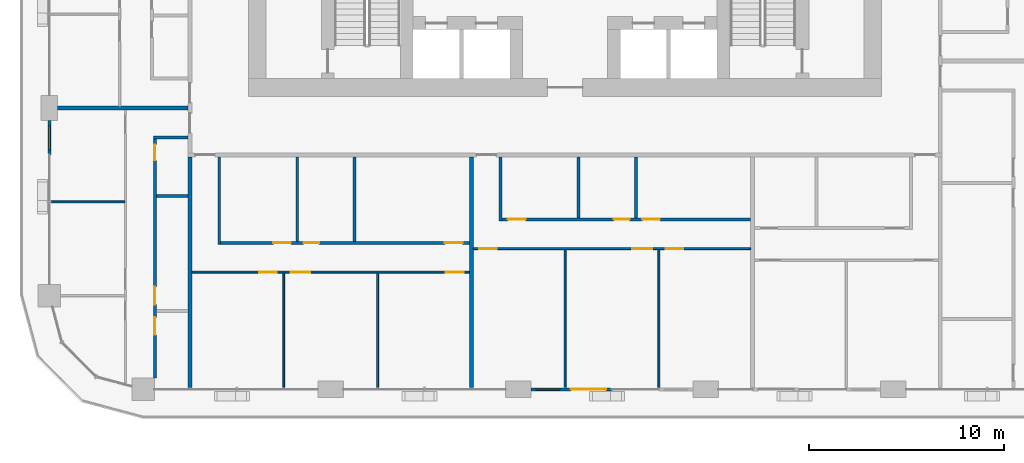
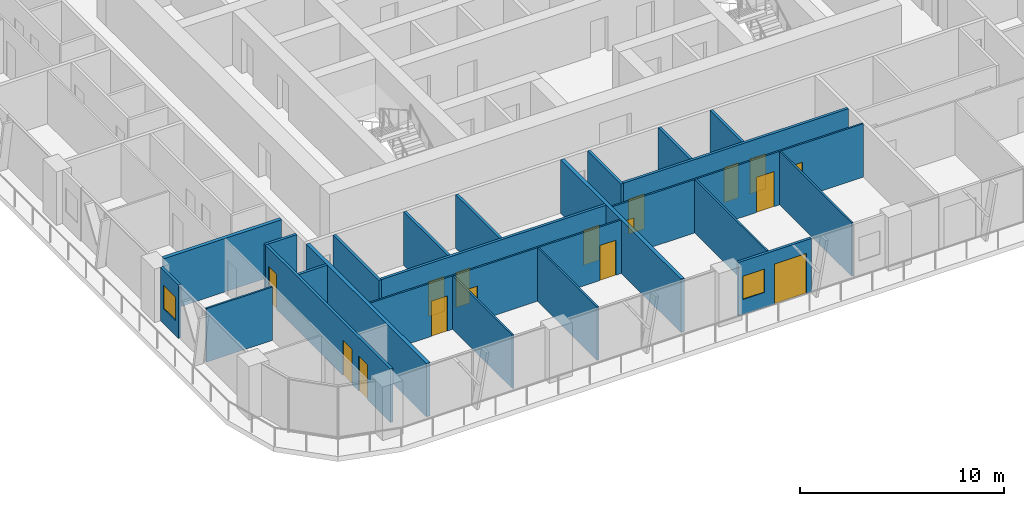
# One storey, part 9 of 22: 23 walls, 16 doors, 2 windows, 18 openings.
"""IFC4 building model written with IfcOpenShell, lengths in metres."""

from ifc_helpers import new_model, si_unit, direction, frame, frame_2d, origin, place, context, subcontext, project, spatial, rectangle, extrude, material, layer, layer_set, type_object, element, fill, save


model = new_model("IFC4")

# Units and contexts
model_context = context("Model", 3, precision=1e-05, world=origin(), true_north=direction((0.0, 1.0)))
body_context = subcontext(model_context, "Body", "Model", "MODEL_VIEW")
ifc_project = project(units=[si_unit("LENGTHUNIT", "METRE"), si_unit("AREAUNIT", "SQUARE_METRE"), si_unit("VOLUMEUNIT", "CUBIC_METRE"), si_unit("PLANEANGLEUNIT", "RADIAN"), si_unit("MASSUNIT", "GRAM", prefix="KILO")], contexts=[model_context])

# Site, building, storey
site_placement = place(None, origin())
site = spatial("IfcSite", under=ifc_project, at=site_placement, CompositionType="ELEMENT")
building_placement = place(site_placement, origin())
building = spatial("IfcBuilding", under=site, at=building_placement, Name="Madar Terraces", CompositionType="ELEMENT")
storey_placement = place(building_placement, frame((0.0, 0.0, 66.300048828125)))
storey = spatial("IfcBuildingStorey", under=building, at=storey_placement, Name="L16", CompositionType="ELEMENT", Elevation=66.300048828125)

# Wall, openings, door, window
ifc_material_1 = material(Name="Aluminium composite panel, black, over insulated backing", Category="aluminium")
ifc_layer_1 = layer(ifc_material_1, 0.14990234375)
ifc_layer_set_1 = layer_set([ifc_layer_1], Name="Facade bay panel 150")
wall_type_1 = type_object("IfcWallType", Name="Facade bay panel 150", PredefinedType="SOLIDWALL", material=ifc_layer_set_1)
wall_1_placement = place(storey_placement, frame((29.449951171875, 0.0, 0.0), z_axis=(0.0, 0.0, 1.0), x_axis=(1.0, 0.0, 0.0)))
wall_1 = element("IfcWall", 1, at=wall_1_placement, inside=storey, type_object=wall_type_1, Name="Facade bay panel", PredefinedType="SOLIDWALL", context=body_context, shape_type="SweptSolid", body=[
    extrude(rectangle(XDim=4.150146484375, YDim=0.14990234375, at=frame_2d((2.0751953125, 0.0))), origin(), (0.0, 0.0, 1.0), 3.199951171875),
])
opening_1_placement = place(wall_1_placement, frame((0.27490234375, 0.0, 0.89990234375)))
opening_1 = element("IfcOpeningElement", 2, at=opening_1_placement, cuts=wall_1, Name="Opening W1", PredefinedType="OPENING", context=body_context, shape_type="SweptSolid", body=[
    extrude(rectangle(XDim=1.199951171875, YDim=1.39990234375, at=frame_2d((0.60009765625, 0.699951171875))), frame((0.0, 0.0849609375, 0.0), z_axis=(0.0, -1.0, 0.0), x_axis=(1.0, 0.0, 0.0)), (0.0, 0.0, 1.0), 0.169921875),
])
opening_2_placement = place(wall_1_placement, frame((2.050048828125, 0.0, 0.0)))
opening_2 = element("IfcOpeningElement", 3, at=opening_2_placement, cuts=wall_1, Name="Opening ED1", PredefinedType="OPENING", context=body_context, shape_type="SweptSolid", body=[
    extrude(rectangle(XDim=1.800048828125, YDim=2.39990234375, at=frame_2d((0.89990234375, 1.199951171875))), frame((0.0, 0.0849609375, 0.0), z_axis=(0.0, -1.0, 0.0), x_axis=(1.0, 0.0, 0.0)), (0.0, 0.0, 1.0), 0.169921875),
])
ifc_material_2 = material(Name="Glass, clear, with black aluminium frame", Category="aluminium")
door_type_1 = type_object("IfcDoorType", Name="Balcony and terrace sliding door 1800 x 2400", OperationType="SLIDING_TO_LEFT", PredefinedType="DOOR", material=ifc_material_2)
door_1_placement = place(opening_2_placement, origin())
door_1 = element("IfcDoor", 4, at=door_1_placement, inside=storey, type_object=door_type_1, Name="Balcony door", OperationType="SLIDING_TO_LEFT", OverallHeight=2.39990234375, OverallWidth=1.800048828125, PredefinedType="DOOR", context=body_context, shape_type="SweptSolid", body=[
    extrude(rectangle(XDim=1.800048828125, YDim=2.39990234375, at=frame_2d((0.89990234375, 1.199951171875))), frame((0.0, 0.02490234375, 0.0), z_axis=(0.0, -1.0, 0.0), x_axis=(1.0, 0.0, 0.0)), (0.0, 0.0, 1.0), 0.050048828125),
])
fill(opening_2, door_1)
ifc_material_3 = material(Name="Glass, clear, with black aluminium frame", Category="aluminium")
window_type = type_object("IfcWindowType", Name="Vent window 1200 x 1400", PartitioningType="SINGLE_PANEL", PredefinedType="WINDOW", material=ifc_material_3)
window_1_placement = place(opening_1_placement, origin())
window_1 = element("IfcWindow", 5, at=window_1_placement, inside=storey, type_object=window_type, Name="Operable vent window", OverallHeight=1.39990234375, OverallWidth=1.199951171875, PartitioningType="SINGLE_PANEL", PredefinedType="WINDOW", context=body_context, shape_type="SweptSolid", body=[
    extrude(rectangle(XDim=1.199951171875, YDim=1.39990234375, at=frame_2d((0.60009765625, 0.699951171875))), frame((0.0, 0.030029296875, 0.0), z_axis=(0.0, -1.0, 0.0), x_axis=(1.0, 0.0, 0.0)), (0.0, 0.0, 1.0), 0.06005859375),
])
fill(opening_1, window_1)

# Wall, opening, window
wall_2_placement = place(storey_placement, frame((4.800048828125, 13.75, 0.0), z_axis=(0.0, 0.0, 1.0), x_axis=(0.0, -1.0, 0.0)))
wall_2 = element("IfcWall", 6, at=wall_2_placement, inside=storey, type_object=wall_type_1, Name="Facade bay panel", PredefinedType="SOLIDWALL", context=body_context, shape_type="SweptSolid", body=[
    extrude(rectangle(XDim=1.75, YDim=0.14990234375, at=frame_2d((0.875, 0.0))), origin(), (0.0, 0.0, 1.0), 3.199951171875),
])
opening_3_placement = place(wall_2_placement, frame((0.27490234375, 0.0, 0.89990234375)))
opening_3 = element("IfcOpeningElement", 7, at=opening_3_placement, cuts=wall_2, Name="Opening W1", PredefinedType="OPENING", context=body_context, shape_type="SweptSolid", body=[
    extrude(rectangle(XDim=1.199951171875, YDim=1.39990234375, at=frame_2d((0.60009765625, 0.699951171875))), frame((0.0, 0.0849609375, 0.0), z_axis=(0.0, -1.0, 0.0), x_axis=(1.0, 0.0, 0.0)), (0.0, 0.0, 1.0), 0.169921875),
])
window_2_placement = place(opening_3_placement, origin())
window_2 = element("IfcWindow", 8, at=window_2_placement, inside=storey, type_object=window_type, Name="Operable vent window", OverallHeight=1.39990234375, OverallWidth=1.199951171875, PartitioningType="SINGLE_PANEL", PredefinedType="WINDOW", context=body_context, shape_type="SweptSolid", body=[
    extrude(rectangle(XDim=1.199951171875, YDim=1.39990234375, at=frame_2d((0.60009765625, 0.699951171875))), frame((0.0, 0.030029296875, 0.0), z_axis=(0.0, -1.0, 0.0), x_axis=(1.0, 0.0, 0.0)), (0.0, 0.0, 1.0), 0.06005859375),
])
fill(opening_3, window_2)

# Walls
ifc_material_4 = material(Name="Gypsum board on steel studs", Category="steel")
ifc_layer_2 = layer(ifc_material_4, 0.10009765625)
ifc_layer_set_2 = layer_set([ifc_layer_2], Name="Flat partition 100")
wall_type_2 = type_object("IfcWallType", Name="Flat partition 100", PredefinedType="PARTITIONING", material=ifc_layer_set_2)
for number, where, z_axis, x_axis, name in (
    (9, (16.800048828125, 5.949951171875, 0.0), (0.0, 0.0, 1.0), (0.0, -1.0, 0.0), "Flat partition 100"),
    (10, (21.60009765625, 5.949951171875, 0.0), (0.0, 0.0, 1.0), (0.0, -1.0, 0.0), "Flat partition 100"),
):
    element("IfcWall", number, at=place(storey_placement, frame(where, z_axis=z_axis, x_axis=x_axis)), inside=storey, type_object=wall_type_2, Name=name, PredefinedType="PARTITIONING", context=body_context, shape_type="SweptSolid", body=[
        extrude(rectangle(XDim=5.849853515625, YDim=0.10009765625, at=frame_2d((2.9248046875, 0.0))), origin(), (0.0, 0.0, 1.0), 3.199951171875),
    ])

# Wall, openings, doors
wall_3_placement = place(storey_placement, frame((26.300048828125, 6.0, 0.0), z_axis=(0.0, 0.0, 1.0), x_axis=(-1.0, 0.0, 0.0)))
wall_3 = element("IfcWall", 11, at=wall_3_placement, inside=storey, type_object=wall_type_2, Name="Flat partition 100", PredefinedType="PARTITIONING", context=body_context, shape_type="SweptSolid", body=[
    extrude(rectangle(XDim=14.199951171875, YDim=0.10009765625, at=frame_2d((7.10009765625, 0.0))), origin(), (0.0, 0.0, 1.0), 3.199951171875),
])
opening_4_placement = place(wall_3_placement, frame((9.85009765625, 0.0, 0.0)))
opening_4 = element("IfcOpeningElement", 12, at=opening_4_placement, cuts=wall_3, Name="Opening D2", PredefinedType="OPENING", context=body_context, shape_type="SweptSolid", body=[
    extrude(rectangle(XDim=0.89990234375, YDim=2.10009765625, at=frame_2d((0.449951171875, 1.050048828125))), frame((0.0, 0.06005859375, 0.0), z_axis=(0.0, -1.0, 0.0), x_axis=(1.0, 0.0, 0.0)), (0.0, 0.0, 1.0), 0.1201171875),
])
opening_5_placement = place(wall_3_placement, frame((8.14990234375, 0.0, 0.0)))
opening_5 = element("IfcOpeningElement", 13, at=opening_5_placement, cuts=wall_3, Name="Opening D3", PredefinedType="OPENING", context=body_context, shape_type="SweptSolid", body=[
    extrude(rectangle(XDim=1.0, YDim=2.10009765625, at=frame_2d((0.5, 1.050048828125))), frame((0.0, 0.06005859375, 0.0), z_axis=(0.0, -1.0, 0.0), x_axis=(1.0, 0.0, 0.0)), (0.0, 0.0, 1.0), 0.1201171875),
])
opening_6_placement = place(wall_3_placement, frame((0.300048828125, 0.0, 0.0)))
opening_6 = element("IfcOpeningElement", 14, at=opening_6_placement, cuts=wall_3, Name="Opening D2", PredefinedType="OPENING", context=body_context, shape_type="SweptSolid", body=[
    extrude(rectangle(XDim=0.89990234375, YDim=2.10009765625, at=frame_2d((0.449951171875, 1.050048828125))), frame((0.0, 0.06005859375, 0.0), z_axis=(0.0, -1.0, 0.0), x_axis=(1.0, 0.0, 0.0)), (0.0, 0.0, 1.0), 0.1201171875),
])
ifc_material_5 = material(Name="Timber door leaf", Category="wood")
door_type_2 = type_object("IfcDoorType", Name="Flat living room door 1000", OperationType="NOTDEFINED", PredefinedType="DOOR", material=ifc_material_5)
door_2_placement = place(opening_5_placement, origin())
door_2 = element("IfcDoor", 15, at=door_2_placement, inside=storey, type_object=door_type_2, Name="Flat living room door 1000", OperationType="SINGLE_SWING_RIGHT", OverallHeight=2.10009765625, OverallWidth=1.0, PredefinedType="DOOR", context=body_context, shape_type="SweptSolid", body=[
    extrude(rectangle(XDim=1.0, YDim=2.10009765625, at=frame_2d((0.5, 1.050048828125))), frame((0.0, 0.02490234375, 0.0), z_axis=(0.0, -1.0, 0.0), x_axis=(1.0, 0.0, 0.0)), (0.0, 0.0, 1.0), 0.050048828125),
])
fill(opening_5, door_2)
ifc_material_6 = material(Name="Timber door leaf", Category="wood")
door_type_3 = type_object("IfcDoorType", Name="Flat room door 900", OperationType="NOTDEFINED", PredefinedType="DOOR", material=ifc_material_6)
door_3_placement = place(opening_4_placement, origin())
door_3 = element("IfcDoor", 16, at=door_3_placement, inside=storey, type_object=door_type_3, Name="Flat room door 900", OperationType="SINGLE_SWING_LEFT", OverallHeight=2.10009765625, OverallWidth=0.89990234375, PredefinedType="DOOR", context=body_context, shape_type="SweptSolid", body=[
    extrude(rectangle(XDim=0.89990234375, YDim=2.10009765625, at=frame_2d((0.449951171875, 1.050048828125))), frame((0.0, 0.02490234375, 0.0), z_axis=(0.0, -1.0, 0.0), x_axis=(1.0, 0.0, 0.0)), (0.0, 0.0, 1.0), 0.050048828125),
])
fill(opening_4, door_3)
door_4_placement = place(opening_6_placement, origin())
door_4 = element("IfcDoor", 17, at=door_4_placement, inside=storey, type_object=door_type_3, Name="Flat room door 900", OperationType="SINGLE_SWING_LEFT", OverallHeight=2.10009765625, OverallWidth=0.89990234375, PredefinedType="DOOR", context=body_context, shape_type="SweptSolid", body=[
    extrude(rectangle(XDim=0.89990234375, YDim=2.10009765625, at=frame_2d((0.449951171875, 1.050048828125))), frame((0.0, 0.02490234375, 0.0), z_axis=(0.0, -1.0, 0.0), x_axis=(1.0, 0.0, 0.0)), (0.0, 0.0, 1.0), 0.050048828125),
])
fill(opening_6, door_4)

# Walls
for number, where, z_axis, x_axis, name in (
    (18, (31.199951171875, 7.14990234375, 0.0), (0.0, 0.0, 1.0), (0.0, -1.0, 0.0), "Flat partition 100"),
    (19, (36.0, 7.14990234375, 0.0), (0.0, 0.0, 1.0), (0.0, -1.0, 0.0), "Flat partition 100"),
):
    element("IfcWall", number, at=place(storey_placement, frame(where, z_axis=z_axis, x_axis=x_axis)), inside=storey, type_object=wall_type_2, Name=name, PredefinedType="PARTITIONING", context=body_context, shape_type="SweptSolid", body=[
        extrude(rectangle(XDim=7.0498046875, YDim=0.10009765625, at=frame_2d((3.52490234375, 0.0))), origin(), (0.0, 0.0, 1.0), 3.199951171875),
    ])

# Wall, openings, doors
wall_4_placement = place(storey_placement, frame((40.699951171875, 7.199951171875, 0.0), z_axis=(0.0, 0.0, 1.0), x_axis=(-1.0, 0.0, 0.0)))
wall_4 = element("IfcWall", 20, at=wall_4_placement, inside=storey, type_object=wall_type_2, Name="Flat partition 100", PredefinedType="PARTITIONING", context=body_context, shape_type="SweptSolid", body=[
    extrude(rectangle(XDim=14.199951171875, YDim=0.10009765625, at=frame_2d((7.10009765625, 0.0))), origin(), (0.0, 0.0, 1.0), 3.199951171875),
])
opening_7_placement = place(wall_4_placement, frame((13.0, 0.0, 0.0)))
opening_7 = element("IfcOpeningElement", 21, at=opening_7_placement, cuts=wall_4, Name="Opening D2", PredefinedType="OPENING", context=body_context, shape_type="SweptSolid", body=[
    extrude(rectangle(XDim=0.89990234375, YDim=2.10009765625, at=frame_2d((0.449951171875, 1.050048828125))), frame((0.0, 0.06005859375, 0.0), z_axis=(0.0, -1.0, 0.0), x_axis=(1.0, 0.0, 0.0)), (0.0, 0.0, 1.0), 0.1201171875),
])
opening_8_placement = place(wall_4_placement, frame((5.050048828125, 0.0, 0.0)))
opening_8 = element("IfcOpeningElement", 22, at=opening_8_placement, cuts=wall_4, Name="Opening D3", PredefinedType="OPENING", context=body_context, shape_type="SweptSolid", body=[
    extrude(rectangle(XDim=1.0, YDim=2.10009765625, at=frame_2d((0.5, 1.050048828125))), frame((0.0, 0.06005859375, 0.0), z_axis=(0.0, -1.0, 0.0), x_axis=(1.0, 0.0, 0.0)), (0.0, 0.0, 1.0), 0.1201171875),
])
opening_9_placement = place(wall_4_placement, frame((3.449951171875, 0.0, 0.0)))
opening_9 = element("IfcOpeningElement", 23, at=opening_9_placement, cuts=wall_4, Name="Opening D2", PredefinedType="OPENING", context=body_context, shape_type="SweptSolid", body=[
    extrude(rectangle(XDim=0.89990234375, YDim=2.10009765625, at=frame_2d((0.449951171875, 1.050048828125))), frame((0.0, 0.06005859375, 0.0), z_axis=(0.0, -1.0, 0.0), x_axis=(1.0, 0.0, 0.0)), (0.0, 0.0, 1.0), 0.1201171875),
])
door_5_placement = place(opening_8_placement, origin())
door_5 = element("IfcDoor", 24, at=door_5_placement, inside=storey, type_object=door_type_2, Name="Flat living room door 1000", OperationType="SINGLE_SWING_LEFT", OverallHeight=2.10009765625, OverallWidth=1.0, PredefinedType="DOOR", context=body_context, shape_type="SweptSolid", body=[
    extrude(rectangle(XDim=1.0, YDim=2.10009765625, at=frame_2d((0.5, 1.050048828125))), frame((0.0, 0.02490234375, 0.0), z_axis=(0.0, -1.0, 0.0), x_axis=(1.0, 0.0, 0.0)), (0.0, 0.0, 1.0), 0.050048828125),
])
fill(opening_8, door_5)
door_6_placement = place(opening_7_placement, origin())
door_6 = element("IfcDoor", 25, at=door_6_placement, inside=storey, type_object=door_type_3, Name="Flat room door 900", OperationType="SINGLE_SWING_RIGHT", OverallHeight=2.10009765625, OverallWidth=0.89990234375, PredefinedType="DOOR", context=body_context, shape_type="SweptSolid", body=[
    extrude(rectangle(XDim=0.89990234375, YDim=2.10009765625, at=frame_2d((0.449951171875, 1.050048828125))), frame((0.0, 0.02490234375, 0.0), z_axis=(0.0, -1.0, 0.0), x_axis=(1.0, 0.0, 0.0)), (0.0, 0.0, 1.0), 0.050048828125),
])
fill(opening_7, door_6)
door_7_placement = place(opening_9_placement, origin())
door_7 = element("IfcDoor", 26, at=door_7_placement, inside=storey, type_object=door_type_3, Name="Flat room door 900", OperationType="SINGLE_SWING_RIGHT", OverallHeight=2.10009765625, OverallWidth=0.89990234375, PredefinedType="DOOR", context=body_context, shape_type="SweptSolid", body=[
    extrude(rectangle(XDim=0.89990234375, YDim=2.10009765625, at=frame_2d((0.449951171875, 1.050048828125))), frame((0.0, 0.02490234375, 0.0), z_axis=(0.0, -1.0, 0.0), x_axis=(1.0, 0.0, 0.0)), (0.0, 0.0, 1.0), 0.050048828125),
])
fill(opening_9, door_7)

# Walls
wall_5_placement = place(storey_placement, frame((8.64990234375, 9.60009765625, 0.0), z_axis=(0.0, 0.0, 1.0), x_axis=(-1.0, 0.0, 0.0)))
element("IfcWall", 27, at=wall_5_placement, inside=storey, type_object=wall_type_2, Name="Flat partition 100", PredefinedType="PARTITIONING", context=body_context, shape_type="SweptSolid", body=[
    extrude(rectangle(XDim=3.75, YDim=0.10009765625, at=frame_2d((1.875, 0.0))), origin(), (0.0, 0.0, 1.0), 3.199951171875),
])
ifc_material_7 = material(Name="Lightweight blockwork", Category="masonry")
ifc_layer_3 = layer(ifc_material_7, 0.199951171875)
ifc_layer_set_3 = layer_set([ifc_layer_3], Name="Flat party and entrance wall 200")
wall_type_3 = type_object("IfcWallType", Name="Flat party and entrance wall 200", PredefinedType="PARTITIONING", material=ifc_layer_set_3)
for number, where, z_axis, x_axis, name in (
    (28, (26.39990234375, 11.89990234375, 0.0), (0.0, 0.0, 1.0), (0.0, -1.0, 0.0), "Flat party and entrance wall 200"),
    (29, (12.0, 0.10009765625, 0.0), (0.0, 0.0, 1.0), (0.0, 1.0, 0.0), "Flat party and entrance wall 200"),
):
    element("IfcWall", number, at=place(storey_placement, frame(where, z_axis=z_axis, x_axis=x_axis)), inside=storey, type_object=wall_type_3, Name=name, PredefinedType="PARTITIONING", context=body_context, shape_type="SweptSolid", body=[
        extrude(rectangle(XDim=11.7998046875, YDim=0.199951171875, at=frame_2d((5.89990234375, 0.0))), origin(), (0.0, 0.0, 1.0), 3.199951171875),
    ])
wall_6_placement = place(storey_placement, frame((5.22509765625, 14.39990234375, 0.0), z_axis=(0.0, 0.0, 1.0), x_axis=(1.0, 0.0, 0.0)))
element("IfcWall", 30, at=wall_6_placement, inside=storey, type_object=wall_type_3, Name="Flat party and entrance wall 200", PredefinedType="PARTITIONING", context=body_context, shape_type="SweptSolid", body=[
    extrude(rectangle(XDim=6.6748046875, YDim=0.199951171875, at=frame_2d((3.33740234375, 0.0))), origin(), (0.0, 0.0, 1.0), 3.199951171875),
])
ifc_material_8 = material(Name="Lightweight blockwork", Category="masonry")
ifc_layer_4 = layer(ifc_material_8, 0.14990234375)
ifc_layer_set_4 = layer_set([ifc_layer_4], Name="Flat wet-room partition 150")
wall_type_4 = type_object("IfcWallType", Name="Flat wet-room partition 150", PredefinedType="PARTITIONING", material=ifc_layer_set_4)
for number, where, z_axis, x_axis, name in (
    (31, (17.490478515625, 11.89990234375, 0.0), (0.0, 0.0, 1.0), (0.0, -1.0, 0.0), "Flat wet-room partition 150"),
    (32, (20.427001953125, 11.89990234375, 0.0), (0.0, 0.0, 1.0), (0.0, -1.0, 0.0), "Flat wet-room partition 150"),
):
    element("IfcWall", number, at=place(storey_placement, frame(where, z_axis=z_axis, x_axis=x_axis)), inside=storey, type_object=wall_type_4, Name=name, PredefinedType="PARTITIONING", context=body_context, shape_type="SweptSolid", body=[
        extrude(rectangle(XDim=4.324951171875, YDim=0.14990234375, at=frame_2d((2.16259765625, 0.0))), origin(), (0.0, 0.0, 1.0), 3.199951171875),
    ])
wall_7_placement = place(storey_placement, frame((13.5, 11.89990234375, 0.0), z_axis=(0.0, 0.0, 1.0), x_axis=(0.0, -1.0, 0.0)))
element("IfcWall", 33, at=wall_7_placement, inside=storey, type_object=wall_type_4, Name="Flat wet-room partition 150", PredefinedType="PARTITIONING", context=body_context, shape_type="SweptSolid", body=[
    extrude(rectangle(XDim=4.474853515625, YDim=0.14990234375, at=frame_2d((2.2373046875, 0.0))), origin(), (0.0, 0.0, 1.0), 3.199951171875),
])

# Wall, openings, doors
wall_8_placement = place(storey_placement, frame((13.574951171875, 7.5, 0.0), z_axis=(0.0, 0.0, 1.0), x_axis=(1.0, 0.0, 0.0)))
wall_8 = element("IfcWall", 34, at=wall_8_placement, inside=storey, type_object=wall_type_4, Name="Flat wet-room partition 150", PredefinedType="PARTITIONING", context=body_context, shape_type="SweptSolid", body=[
    extrude(rectangle(XDim=12.72509765625, YDim=0.14990234375, at=frame_2d((6.362548828125, 0.0))), origin(), (0.0, 0.0, 1.0), 3.199951171875),
])
opening_10_placement = place(wall_8_placement, frame((2.6904296875, 0.0, 0.0)))
opening_10 = element("IfcOpeningElement", 35, at=opening_10_placement, cuts=wall_8, Name="Opening D5", PredefinedType="OPENING", context=body_context, shape_type="SweptSolid", body=[
    extrude(rectangle(XDim=0.89990234375, YDim=2.10009765625, at=frame_2d((0.449951171875, 1.050048828125))), frame((0.0, 0.0849609375, 0.0), z_axis=(0.0, -1.0, 0.0), x_axis=(1.0, 0.0, 0.0)), (0.0, 0.0, 1.0), 0.169921875),
])
opening_11_placement = place(wall_8_placement, frame((4.240478515625, 0.0, 0.0)))
opening_11 = element("IfcOpeningElement", 36, at=opening_11_placement, cuts=wall_8, Name="Opening D4", PredefinedType="OPENING", context=body_context, shape_type="SweptSolid", body=[
    extrude(rectangle(XDim=0.800048828125, YDim=2.10009765625, at=frame_2d((0.39990234375, 1.050048828125))), frame((0.0, 0.0849609375, 0.0), z_axis=(0.0, -1.0, 0.0), x_axis=(1.0, 0.0, 0.0)), (0.0, 0.0, 1.0), 0.169921875),
])
opening_12_placement = place(wall_8_placement, frame((11.47509765625, 0.0, 0.0)))
opening_12 = element("IfcOpeningElement", 37, at=opening_12_placement, cuts=wall_8, Name="Opening D2", PredefinedType="OPENING", context=body_context, shape_type="SweptSolid", body=[
    extrude(rectangle(XDim=0.89990234375, YDim=2.10009765625, at=frame_2d((0.449951171875, 1.050048828125))), frame((0.0, 0.0849609375, 0.0), z_axis=(0.0, -1.0, 0.0), x_axis=(1.0, 0.0, 0.0)), (0.0, 0.0, 1.0), 0.169921875),
])
ifc_material_9 = material(Name="Timber door leaf", Category="wood")
door_type_4 = type_object("IfcDoorType", Name="Flat accessible bathroom door 900", OperationType="NOTDEFINED", PredefinedType="DOOR", material=ifc_material_9)
door_8_placement = place(opening_10_placement, origin())
door_8 = element("IfcDoor", 38, at=door_8_placement, inside=storey, type_object=door_type_4, Name="Flat accessible bathroom door 900", OperationType="SINGLE_SWING_RIGHT", OverallHeight=2.10009765625, OverallWidth=0.89990234375, PredefinedType="DOOR", context=body_context, shape_type="SweptSolid", body=[
    extrude(rectangle(XDim=0.89990234375, YDim=2.10009765625, at=frame_2d((0.449951171875, 1.050048828125))), frame((0.0, 0.02490234375, 0.0), z_axis=(0.0, -1.0, 0.0), x_axis=(1.0, 0.0, 0.0)), (0.0, 0.0, 1.0), 0.050048828125),
])
fill(opening_10, door_8)
ifc_material_10 = material(Name="Timber door leaf", Category="wood")
door_type_5 = type_object("IfcDoorType", Name="Flat bathroom door 800", OperationType="NOTDEFINED", PredefinedType="DOOR", material=ifc_material_10)
door_9_placement = place(opening_11_placement, origin())
door_9 = element("IfcDoor", 39, at=door_9_placement, inside=storey, type_object=door_type_5, Name="Flat bathroom door 800", OperationType="SINGLE_SWING_LEFT", OverallHeight=2.10009765625, OverallWidth=0.800048828125, PredefinedType="DOOR", context=body_context, shape_type="SweptSolid", body=[
    extrude(rectangle(XDim=0.800048828125, YDim=2.10009765625, at=frame_2d((0.39990234375, 1.050048828125))), frame((0.0, 0.02490234375, 0.0), z_axis=(0.0, -1.0, 0.0), x_axis=(1.0, 0.0, 0.0)), (0.0, 0.0, 1.0), 0.050048828125),
])
fill(opening_11, door_9)
door_10_placement = place(opening_12_placement, origin())
door_10 = element("IfcDoor", 40, at=door_10_placement, inside=storey, type_object=door_type_3, Name="Flat room door 900", OperationType="SINGLE_SWING_RIGHT", OverallHeight=2.10009765625, OverallWidth=0.89990234375, PredefinedType="DOOR", context=body_context, shape_type="SweptSolid", body=[
    extrude(rectangle(XDim=0.89990234375, YDim=2.10009765625, at=frame_2d((0.449951171875, 1.050048828125))), frame((0.0, 0.02490234375, 0.0), z_axis=(0.0, -1.0, 0.0), x_axis=(1.0, 0.0, 0.0)), (0.0, 0.0, 1.0), 0.050048828125),
])
fill(opening_12, door_10)

# Walls
for number, where, z_axis, x_axis, name in (
    (41, (31.890380859375, 11.89990234375, 0.0), (0.0, 0.0, 1.0), (0.0, -1.0, 0.0), "Flat wet-room partition 150"),
    (42, (34.826904296875, 11.89990234375, 0.0), (0.0, 0.0, 1.0), (0.0, -1.0, 0.0), "Flat wet-room partition 150"),
):
    element("IfcWall", number, at=place(storey_placement, frame(where, z_axis=z_axis, x_axis=x_axis)), inside=storey, type_object=wall_type_4, Name=name, PredefinedType="PARTITIONING", context=body_context, shape_type="SweptSolid", body=[
        extrude(rectangle(XDim=3.125, YDim=0.14990234375, at=frame_2d((1.5625, 0.0))), origin(), (0.0, 0.0, 1.0), 3.199951171875),
    ])
wall_9_placement = place(storey_placement, frame((27.89990234375, 11.89990234375, 0.0), z_axis=(0.0, 0.0, 1.0), x_axis=(0.0, -1.0, 0.0)))
element("IfcWall", 43, at=wall_9_placement, inside=storey, type_object=wall_type_4, Name="Flat wet-room partition 150", PredefinedType="PARTITIONING", context=body_context, shape_type="SweptSolid", body=[
    extrude(rectangle(XDim=3.27490234375, YDim=0.14990234375, at=frame_2d((1.637451171875, 0.0))), origin(), (0.0, 0.0, 1.0), 3.199951171875),
])

# Wall, openings, doors
wall_10_placement = place(storey_placement, frame((27.97509765625, 8.699951171875, 0.0), z_axis=(0.0, 0.0, 1.0), x_axis=(1.0, 0.0, 0.0)))
wall_10 = element("IfcWall", 44, at=wall_10_placement, inside=storey, type_object=wall_type_4, Name="Flat wet-room partition 150", PredefinedType="PARTITIONING", context=body_context, shape_type="SweptSolid", body=[
    extrude(rectangle(XDim=12.724853515625, YDim=0.14990234375, at=frame_2d((6.3623046875, 0.0))), origin(), (0.0, 0.0, 1.0), 3.199951171875),
])
opening_13_placement = place(wall_10_placement, frame((0.300048828125, 0.0, 0.0)))
opening_13 = element("IfcOpeningElement", 45, at=opening_13_placement, cuts=wall_10, Name="Opening D5", PredefinedType="OPENING", context=body_context, shape_type="SweptSolid", body=[
    extrude(rectangle(XDim=0.89990234375, YDim=2.10009765625, at=frame_2d((0.449951171875, 1.050048828125))), frame((0.0, 0.0849609375, 0.0), z_axis=(0.0, -1.0, 0.0), x_axis=(1.0, 0.0, 0.0)), (0.0, 0.0, 1.0), 0.169921875),
])
opening_14_placement = place(wall_10_placement, frame((5.726806640625, 0.0, 0.0)))
opening_14 = element("IfcOpeningElement", 46, at=opening_14_placement, cuts=wall_10, Name="Opening D4", PredefinedType="OPENING", context=body_context, shape_type="SweptSolid", body=[
    extrude(rectangle(XDim=0.800048828125, YDim=2.10009765625, at=frame_2d((0.39990234375, 1.050048828125))), frame((0.0, 0.0849609375, 0.0), z_axis=(0.0, -1.0, 0.0), x_axis=(1.0, 0.0, 0.0)), (0.0, 0.0, 1.0), 0.169921875),
])
opening_15_placement = place(wall_10_placement, frame((7.177001953125, 0.0, 0.0)))
opening_15 = element("IfcOpeningElement", 47, at=opening_15_placement, cuts=wall_10, Name="Opening D2", PredefinedType="OPENING", context=body_context, shape_type="SweptSolid", body=[
    extrude(rectangle(XDim=0.89990234375, YDim=2.10009765625, at=frame_2d((0.449951171875, 1.050048828125))), frame((0.0, 0.0849609375, 0.0), z_axis=(0.0, -1.0, 0.0), x_axis=(1.0, 0.0, 0.0)), (0.0, 0.0, 1.0), 0.169921875),
])
door_11_placement = place(opening_13_placement, origin())
door_11 = element("IfcDoor", 48, at=door_11_placement, inside=storey, type_object=door_type_4, Name="Flat accessible bathroom door 900", OperationType="SINGLE_SWING_LEFT", OverallHeight=2.10009765625, OverallWidth=0.89990234375, PredefinedType="DOOR", context=body_context, shape_type="SweptSolid", body=[
    extrude(rectangle(XDim=0.89990234375, YDim=2.10009765625, at=frame_2d((0.449951171875, 1.050048828125))), frame((0.0, 0.02490234375, 0.0), z_axis=(0.0, -1.0, 0.0), x_axis=(1.0, 0.0, 0.0)), (0.0, 0.0, 1.0), 0.050048828125),
])
fill(opening_13, door_11)
door_12_placement = place(opening_14_placement, origin())
door_12 = element("IfcDoor", 49, at=door_12_placement, inside=storey, type_object=door_type_5, Name="Flat bathroom door 800", OperationType="SINGLE_SWING_RIGHT", OverallHeight=2.10009765625, OverallWidth=0.800048828125, PredefinedType="DOOR", context=body_context, shape_type="SweptSolid", body=[
    extrude(rectangle(XDim=0.800048828125, YDim=2.10009765625, at=frame_2d((0.39990234375, 1.050048828125))), frame((0.0, 0.02490234375, 0.0), z_axis=(0.0, -1.0, 0.0), x_axis=(1.0, 0.0, 0.0)), (0.0, 0.0, 1.0), 0.050048828125),
])
fill(opening_14, door_12)
door_13_placement = place(opening_15_placement, origin())
door_13 = element("IfcDoor", 50, at=door_13_placement, inside=storey, type_object=door_type_3, Name="Flat room door 900", OperationType="SINGLE_SWING_LEFT", OverallHeight=2.10009765625, OverallWidth=0.89990234375, PredefinedType="DOOR", context=body_context, shape_type="SweptSolid", body=[
    extrude(rectangle(XDim=0.89990234375, YDim=2.10009765625, at=frame_2d((0.449951171875, 1.050048828125))), frame((0.0, 0.02490234375, 0.0), z_axis=(0.0, -1.0, 0.0), x_axis=(1.0, 0.0, 0.0)), (0.0, 0.0, 1.0), 0.050048828125),
])
fill(opening_15, door_13)

# Walls
wall_11_placement = place(storey_placement, frame((11.89990234375, 9.888427734375, 0.0), z_axis=(0.0, 0.0, 1.0), x_axis=(-1.0, 0.0, 0.0)))
element("IfcWall", 51, at=wall_11_placement, inside=storey, type_object=wall_type_4, Name="Flat wet-room partition 150", PredefinedType="PARTITIONING", context=body_context, shape_type="SweptSolid", body=[
    extrude(rectangle(XDim=1.625, YDim=0.14990234375, at=frame_2d((0.8125, 0.0))), origin(), (0.0, 0.0, 1.0), 3.199951171875),
])
wall_12_placement = place(storey_placement, frame((11.89990234375, 12.89990234375, 0.0), z_axis=(0.0, 0.0, 1.0), x_axis=(-1.0, 0.0, 0.0)))
element("IfcWall", 52, at=wall_12_placement, inside=storey, type_object=wall_type_4, Name="Flat wet-room partition 150", PredefinedType="PARTITIONING", context=body_context, shape_type="SweptSolid", body=[
    extrude(rectangle(XDim=1.77490234375, YDim=0.14990234375, at=frame_2d((0.887451171875, 0.0))), origin(), (0.0, 0.0, 1.0), 3.199951171875),
])

# Wall, openings, doors
wall_13_placement = place(storey_placement, frame((10.199951171875, 12.824951171875, 0.0), z_axis=(0.0, 0.0, 1.0), x_axis=(0.0, -1.0, 0.0)))
wall_13 = element("IfcWall", 53, at=wall_13_placement, inside=storey, type_object=wall_type_4, Name="Flat wet-room partition 150", PredefinedType="PARTITIONING", context=body_context, shape_type="SweptSolid", body=[
    extrude(rectangle(XDim=12.25, YDim=0.14990234375, at=frame_2d((6.125, 0.0))), origin(), (0.0, 0.0, 1.0), 3.199951171875),
])
opening_16_placement = place(wall_13_placement, frame((0.300048828125, 0.0, 0.0)))
opening_16 = element("IfcOpeningElement", 54, at=opening_16_placement, cuts=wall_13, Name="Opening D4", PredefinedType="OPENING", context=body_context, shape_type="SweptSolid", body=[
    extrude(rectangle(XDim=0.800048828125, YDim=2.10009765625, at=frame_2d((0.39990234375, 1.050048828125))), frame((0.0, 0.0849609375, 0.0), z_axis=(0.0, -1.0, 0.0), x_axis=(1.0, 0.0, 0.0)), (0.0, 0.0, 1.0), 0.169921875),
])
opening_17_placement = place(wall_13_placement, frame((7.584716796875, 0.0, 0.0)))
opening_17 = element("IfcOpeningElement", 55, at=opening_17_placement, cuts=wall_13, Name="Opening D2", PredefinedType="OPENING", context=body_context, shape_type="SweptSolid", body=[
    extrude(rectangle(XDim=0.89990234375, YDim=2.10009765625, at=frame_2d((0.449951171875, 1.050048828125))), frame((0.0, 0.0849609375, 0.0), z_axis=(0.0, -1.0, 0.0), x_axis=(1.0, 0.0, 0.0)), (0.0, 0.0, 1.0), 0.169921875),
])
opening_18_placement = place(wall_13_placement, frame((9.134521484375, 0.0, 0.0)))
opening_18 = element("IfcOpeningElement", 56, at=opening_18_placement, cuts=wall_13, Name="Opening D5", PredefinedType="OPENING", context=body_context, shape_type="SweptSolid", body=[
    extrude(rectangle(XDim=0.89990234375, YDim=2.10009765625, at=frame_2d((0.449951171875, 1.050048828125))), frame((0.0, 0.0849609375, 0.0), z_axis=(0.0, -1.0, 0.0), x_axis=(1.0, 0.0, 0.0)), (0.0, 0.0, 1.0), 0.169921875),
])
door_14_placement = place(opening_18_placement, origin())
door_14 = element("IfcDoor", 57, at=door_14_placement, inside=storey, type_object=door_type_4, Name="Flat accessible bathroom door 900", OperationType="SINGLE_SWING_LEFT", OverallHeight=2.10009765625, OverallWidth=0.89990234375, PredefinedType="DOOR", context=body_context, shape_type="SweptSolid", body=[
    extrude(rectangle(XDim=0.89990234375, YDim=2.10009765625, at=frame_2d((0.449951171875, 1.050048828125))), frame((0.0, 0.02490234375, 0.0), z_axis=(0.0, -1.0, 0.0), x_axis=(1.0, 0.0, 0.0)), (0.0, 0.0, 1.0), 0.050048828125),
])
fill(opening_18, door_14)
door_15_placement = place(opening_16_placement, origin())
door_15 = element("IfcDoor", 58, at=door_15_placement, inside=storey, type_object=door_type_5, Name="Flat bathroom door 800", OperationType="SINGLE_SWING_LEFT", OverallHeight=2.10009765625, OverallWidth=0.800048828125, PredefinedType="DOOR", context=body_context, shape_type="SweptSolid", body=[
    extrude(rectangle(XDim=0.800048828125, YDim=2.10009765625, at=frame_2d((0.39990234375, 1.050048828125))), frame((0.0, 0.02490234375, 0.0), z_axis=(0.0, -1.0, 0.0), x_axis=(1.0, 0.0, 0.0)), (0.0, 0.0, 1.0), 0.050048828125),
])
fill(opening_16, door_15)
door_16_placement = place(opening_17_placement, origin())
door_16 = element("IfcDoor", 59, at=door_16_placement, inside=storey, type_object=door_type_3, Name="Flat room door 900", OperationType="SINGLE_SWING_RIGHT", OverallHeight=2.10009765625, OverallWidth=0.89990234375, PredefinedType="DOOR", context=body_context, shape_type="SweptSolid", body=[
    extrude(rectangle(XDim=0.89990234375, YDim=2.10009765625, at=frame_2d((0.449951171875, 1.050048828125))), frame((0.0, 0.02490234375, 0.0), z_axis=(0.0, -1.0, 0.0), x_axis=(1.0, 0.0, 0.0)), (0.0, 0.0, 1.0), 0.050048828125),
])
fill(opening_17, door_16)

save(model, "model.ifc")
